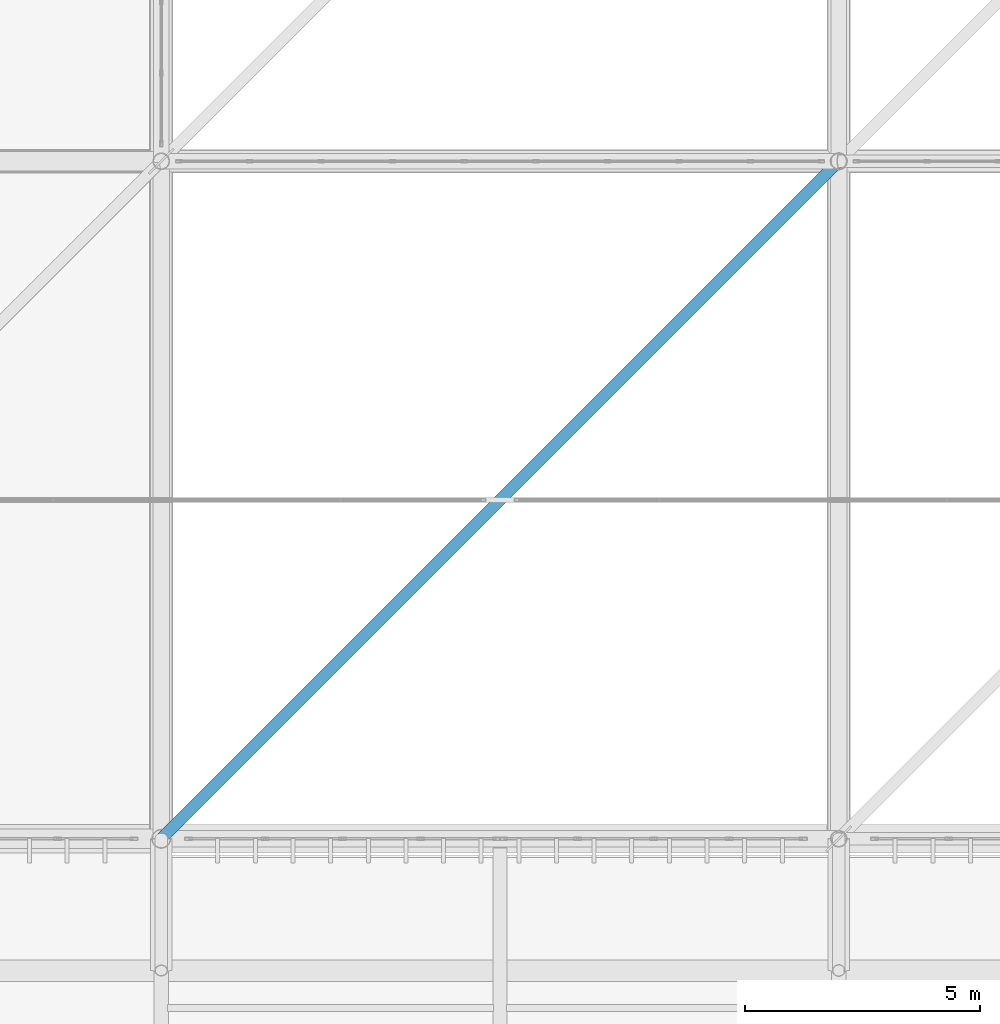
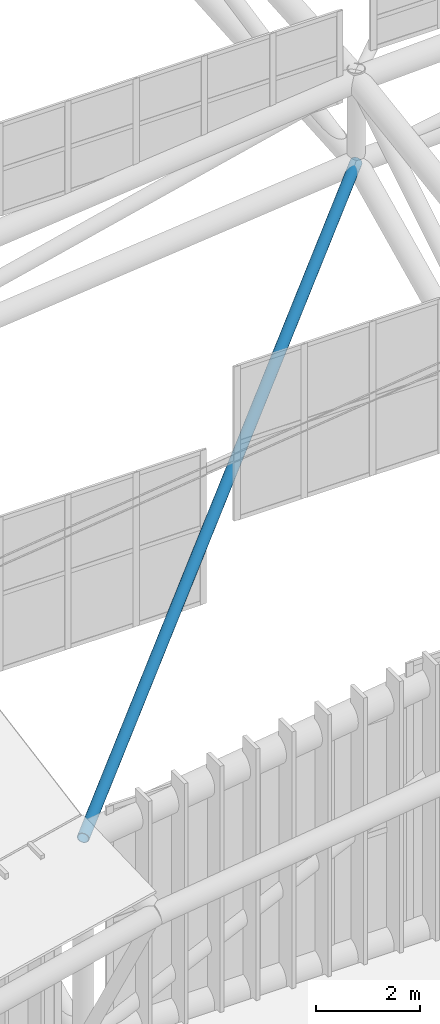
# One storey, part 29 of 397: 1 member.
"""IFC4 building model written with IfcOpenShell, lengths in metres."""

from ifc_helpers import new_model, si_unit, direction, frame, origin, origin_2d, place, context, subcontext, project, spatial, hollow_circle, extrude, material, material_profile, profile_set, type_object, element, save


model = new_model("IFC4")

# Units and contexts
model_context = context("Model", 3, precision=1e-05, world=origin(), true_north=direction((0.0, 1.0)))
body_context = subcontext(model_context, "Body", "Model", "MODEL_VIEW")
ifc_project = project(units=[si_unit("LENGTHUNIT", "METRE"), si_unit("AREAUNIT", "SQUARE_METRE"), si_unit("VOLUMEUNIT", "CUBIC_METRE"), si_unit("PLANEANGLEUNIT", "RADIAN"), si_unit("MASSUNIT", "GRAM", prefix="KILO")], contexts=[model_context])

# Site, building, storey
site_placement = place(None, origin())
site = spatial("IfcSite", under=ifc_project, at=site_placement, CompositionType="ELEMENT")
building_placement = place(site_placement, origin())
building = spatial("IfcBuilding", under=site, at=building_placement, Name="Qandorah Velis Arena", CompositionType="ELEMENT")
storey_placement = place(building_placement, frame((0.0, 0.0, 27.5)))
storey = spatial("IfcBuildingStorey", under=building, at=storey_placement, Name="RF", CompositionType="ELEMENT", Elevation=27.5)

# Member
ifc_material = material(Name="Steel S355", Category="steel")
ifc_material_profile = material_profile(ifc_material, hollow_circle(Radius=0.122314453125, WallThickness=0.012451171875, at=origin_2d()), Name="CHS 244.5x12.5")
ifc_profile_set = profile_set([ifc_material_profile], Name="Steel S355")
member_type = type_object("IfcMemberType", Name="STR-SFD-CHS244X12", PredefinedType="STRUT", material=ifc_profile_set)
member_placement = place(storey_placement, frame((43.199951171875, 28.800048828125, 7.009521484375), z_axis=(-0.703164877906, -0.703176799592, -0.105363860007), x_axis=(0.707112775369, -0.707100786953, 0.0)))
element("IfcMember", 1, at=member_placement, inside=storey, type_object=member_type, Name="Space frame roof spatial diagonal 1.0", PredefinedType="STRUT", context=body_context, shape_type="SweptSolid", body=[
    extrude(hollow_circle(Radius=0.122314453125, WallThickness=0.012451171875, at=origin_2d()), origin(), (0.0, 0.0, 1.0), 20.478759765625),
])

save(model, "model.ifc")
